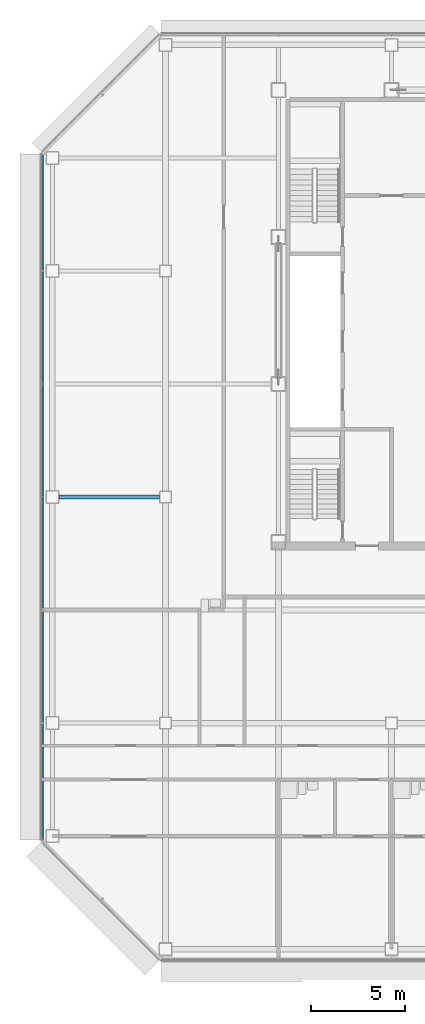
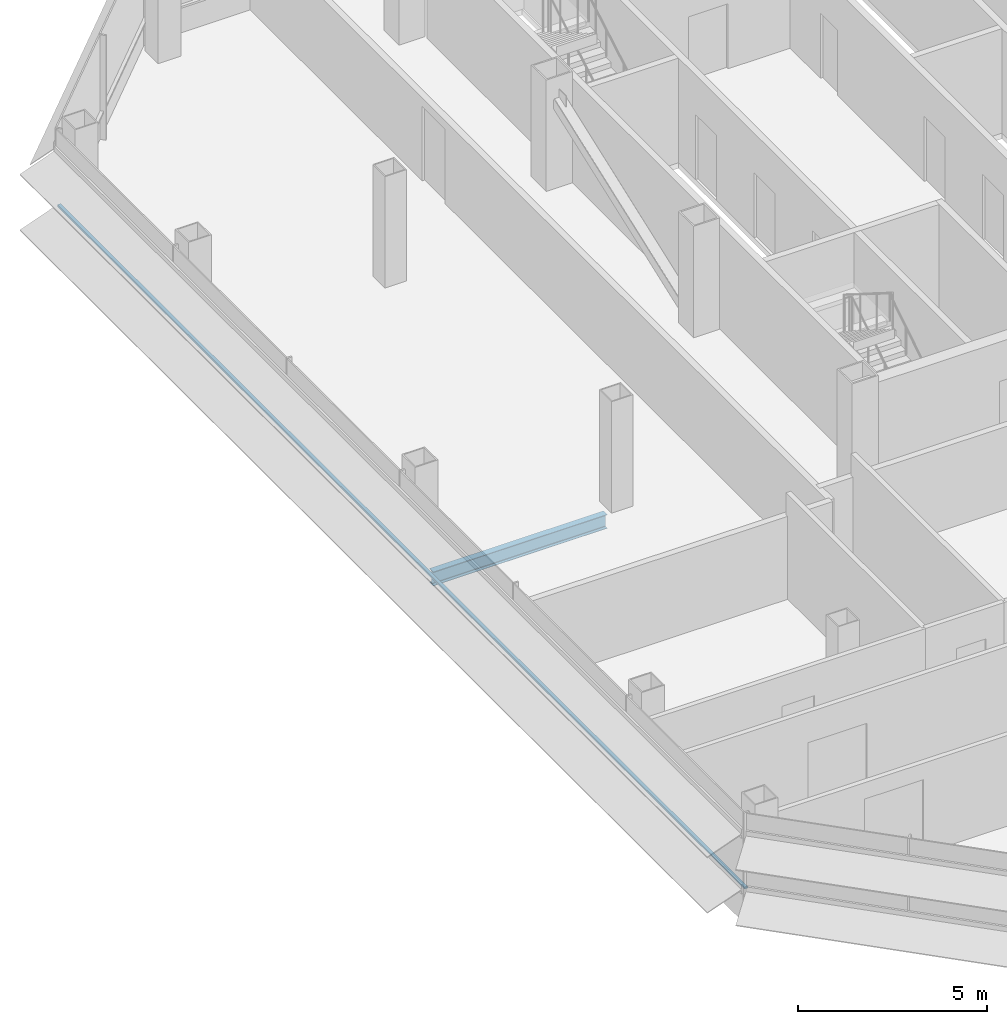
# One storey, part 5 of 26: 1 beam, 1 member, 1 element without a shape of its own.
"""IFC4 building model written with IfcOpenShell, lengths in metres."""

from ifc_helpers import new_model, si_unit, direction, frame, origin, origin_2d, place, context, subcontext, project, spatial, rectangle, i_section, extrude, material, material_profile, profile_set, type_object, element, aggregate, save


model = new_model("IFC4")

# Units and contexts
model_context = context("Model", 3, precision=1e-05, world=origin(), true_north=direction((0.0, 1.0)))
body_context = subcontext(model_context, "Body", "Model", "MODEL_VIEW")
ifc_project = project(units=[si_unit("LENGTHUNIT", "METRE"), si_unit("AREAUNIT", "SQUARE_METRE"), si_unit("VOLUMEUNIT", "CUBIC_METRE"), si_unit("PLANEANGLEUNIT", "RADIAN"), si_unit("MASSUNIT", "GRAM", prefix="KILO")], contexts=[model_context])

# Site, building, storey
site_placement = place(None, origin())
site = spatial("IfcSite", under=ifc_project, at=site_placement, CompositionType="ELEMENT")
building_placement = place(site_placement, origin())
building = spatial("IfcBuilding", under=site, at=building_placement, Name="Sorahane Residences", CompositionType="ELEMENT")
storey_placement = place(building_placement, frame((0.0, 0.0, 158.199951171875)))
storey = spatial("IfcBuildingStorey", under=building, at=storey_placement, Name="L36", CompositionType="ELEMENT", Elevation=158.199951171875)

# Curtain wall, member
ifc_material_1 = material(Name="Dark low-e glass and black anodised aluminium", Category="aluminium")
curtain_wall_type = type_object("IfcCurtainWallType", Name="Curtain wall CW-1 Typical unitised wall", PredefinedType="NOTDEFINED", material=ifc_material_1)
curtain_wall_placement = place(storey_placement, origin())
curtain_wall = element("IfcCurtainWall", 1, at=curtain_wall_placement, inside=storey, type_object=curtain_wall_type, Name="CW-1 curtain wall L36 W1", PredefinedType="NOTDEFINED")
ifc_material_2 = material(Name="Black anodised aluminium", Category="aluminium")
ifc_material_profile_1 = material_profile(ifc_material_2, rectangle(XDim=0.10009765625, YDim=0.06005859375, at=origin_2d()), Name="Curtain wall transom CW-1 black anodised aluminium 60x100")
ifc_profile_set_1 = profile_set([ifc_material_profile_1], Name="Black anodised aluminium")
member_type = type_object("IfcMemberType", Name="Curtain wall transom CW-1 black anodised aluminium 60x100", PredefinedType="USERDEFINED", material=ifc_profile_set_1)
member_placement = place(storey_placement, frame((-6.530029296875, 42.198486328125, 0.900146484375), z_axis=(0.0, -1.0, 0.0), x_axis=(1.0, 0.0, 0.0)))
member = element("IfcMember", 2, at=member_placement, type_object=member_type, Name="CW-1 transom L36 W1", ObjectType="TRANSOM", PredefinedType="USERDEFINED", context=body_context, shape_type="SweptSolid", body=[
    extrude(rectangle(XDim=0.10009765625, YDim=0.06005859375, at=origin_2d()), origin(), (0.0, 0.0, 1.0), 36.39697265625),
])
aggregate(curtain_wall, [member])

# Beam
ifc_material_3 = material(Name="Steel Q355B", Category="steel")
ifc_material_profile_2 = material_profile(ifc_material_3, i_section(OverallWidth=0.199951171875, OverallDepth=0.449951171875, WebThickness=0.009033203125, FlangeThickness=0.013916015625, FilletRadius=0.02001953125, at=origin_2d()), Name="HN 450x200x9x14")
ifc_profile_set_2 = profile_set([ifc_material_profile_2], Name="Steel Q355B")
beam_type = type_object("IfcBeamType", Name="Steel floor beam HN 450x200x9x14 Q355B", PredefinedType="BEAM", material=ifc_profile_set_2)
beam_placement = place(storey_placement, frame((-5.64990234375, 24.0, -0.405029296875), z_axis=(1.0, 0.0, 0.0), x_axis=(0.0, 1.0, 0.0)))
element("IfcBeam", 3, at=beam_placement, inside=storey, type_object=beam_type, Name="Beam L36 011", PredefinedType="BEAM", context=body_context, shape_type="SweptSolid", body=[
    extrude(i_section(OverallWidth=0.199951171875, OverallDepth=0.449951171875, WebThickness=0.009033203125, FlangeThickness=0.013916015625, FilletRadius=0.02001953125, at=origin_2d()), origin(), (0.0, 0.0, 1.0), 5.324951171875),
])

save(model, "model.ifc")
